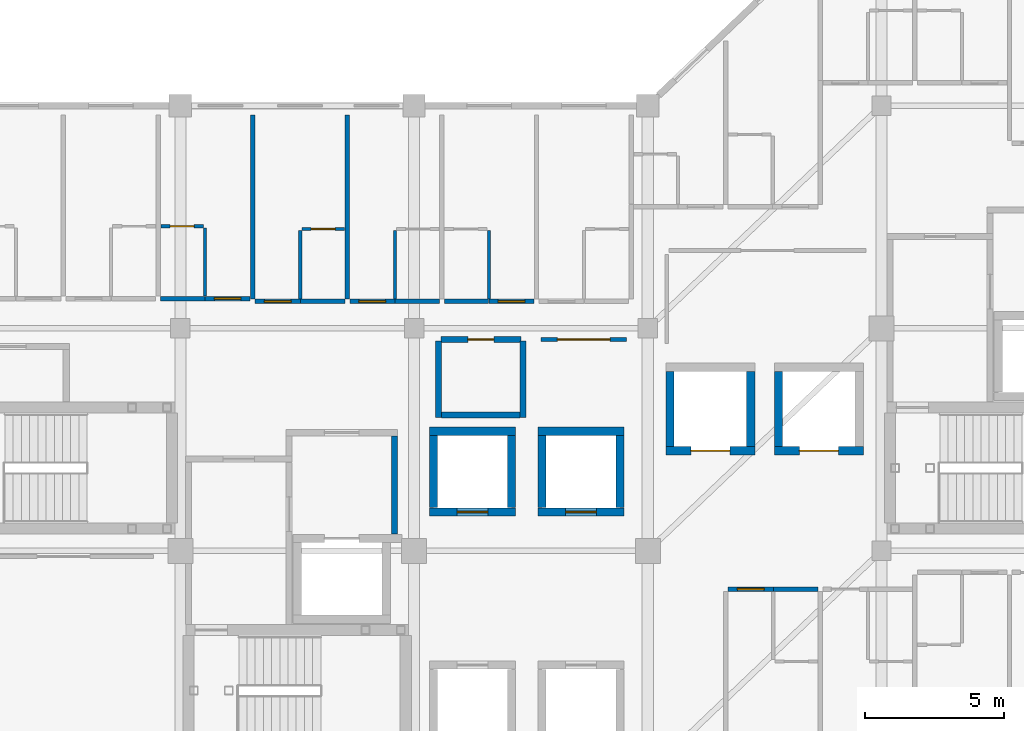
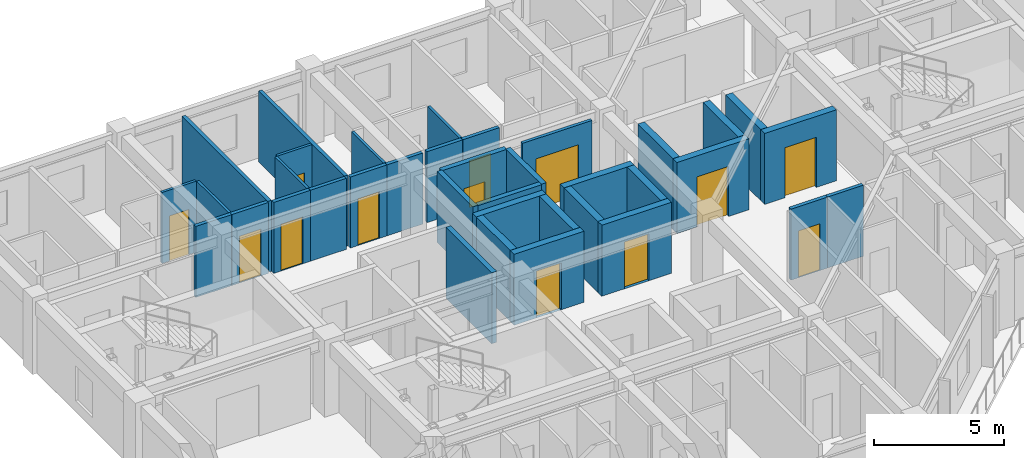
# One storey, part 8 of 17: 37 walls, 13 doors, 13 openings.
"""IFC4 building model written with IfcOpenShell, lengths in metres."""

from ifc_helpers import new_model, si_unit, direction, frame, frame_2d, origin, place, context, subcontext, project, spatial, rectangle, extrude, material, layer, layer_set, type_object, element, fill, save


model = new_model("IFC4")

# Units and contexts
model_context = context("Model", 3, precision=1e-05, world=origin(), true_north=direction((0.0, 1.0)))
body_context = subcontext(model_context, "Body", "Model", "MODEL_VIEW")
ifc_project = project(units=[si_unit("LENGTHUNIT", "METRE"), si_unit("AREAUNIT", "SQUARE_METRE"), si_unit("VOLUMEUNIT", "CUBIC_METRE"), si_unit("PLANEANGLEUNIT", "RADIAN"), si_unit("MASSUNIT", "GRAM", prefix="KILO")], contexts=[model_context])

# Site, building, storey
site_placement = place(None, origin())
site = spatial("IfcSite", under=ifc_project, at=site_placement, CompositionType="ELEMENT")
building_placement = place(site_placement, origin())
building = spatial("IfcBuilding", under=site, at=building_placement, Name="Naruveol Harbour Congress Hotel", CompositionType="ELEMENT")
storey_placement = place(building_placement, frame((0.0, 0.0, 25.199951171875)))
storey = spatial("IfcBuildingStorey", under=building, at=storey_placement, Name="L05", CompositionType="ELEMENT", Elevation=25.199951171875)

# Wall, opening, door
ifc_material_1 = material(Name="Acoustic Double Stud Gypsum", Category="gypsum")
ifc_layer_1 = layer(ifc_material_1, 0.139892578125)
ifc_layer_set_1 = layer_set([ifc_layer_1], Name="Acoustic Double Stud Gypsum")
wall_type_1 = type_object("IfcWallType", Name="ACOUSTIC MEETING PARTITION WALL 140", PredefinedType="PARTITIONING", material=ifc_layer_set_1)
wall_1_placement = place(storey_placement, frame((138.9599609375, 23.60009765625, 0.0), z_axis=(0.0, 0.0, 1.0), x_axis=(1.0, 0.0, 0.0)))
wall_1 = element("IfcWall", 1, at=wall_1_placement, inside=storey, type_object=wall_type_1, Name="Reading Salon north entry wall PW-140", PredefinedType="PARTITIONING", context=body_context, shape_type="SweptSolid", body=[
    extrude(rectangle(XDim=3.080078125, YDim=0.139892578125, at=frame_2d((1.5400390625, 0.0))), origin(), (0.0, 0.0, 1.0), 3.3349609375),
])
opening_1_placement = place(wall_1_placement, frame((0.590087890625, 0.0, 0.0)))
opening_1 = element("IfcOpeningElement", 2, at=opening_1_placement, cuts=wall_1, Name="Opening ID-LG-102", PredefinedType="OPENING", context=body_context, shape_type="SweptSolid", body=[
    extrude(rectangle(XDim=1.89990234375, YDim=2.39990234375, at=frame_2d((0.949951171875, 1.199951171875))), frame((0.0, 0.079833984375, 0.0), z_axis=(0.0, -1.0, 0.0), x_axis=(1.0, 0.0, 0.0)), (0.0, 0.0, 1.0), 0.159912109375),
])
ifc_material_2 = material(Name="Timber & Steel Acoustic Leaf", Category="steel")
door_type_1 = type_object("IfcDoorType", Name="RESTAURANT AND LOUNGE GLAZED DOOR 1900X2400", OperationType="DOUBLE_DOOR_SINGLE_SWING", PredefinedType="DOOR", material=ifc_material_2)
door_1_placement = place(opening_1_placement, origin())
door_1 = element("IfcDoor", 3, at=door_1_placement, inside=storey, type_object=door_type_1, Name="Reading Salon Entrance Door", OperationType="DOUBLE_DOOR_SINGLE_SWING", OverallHeight=2.39990234375, OverallWidth=1.89990234375, PredefinedType="DOOR", context=body_context, shape_type="SweptSolid", body=[
    extrude(rectangle(XDim=1.89990234375, YDim=2.39990234375, at=frame_2d((0.949951171875, 1.199951171875))), frame((0.0, 0.02490234375, 0.0), z_axis=(0.0, -1.0, 0.0), x_axis=(1.0, 0.0, 0.0)), (0.0, 0.0, 1.0), 0.050048828125),
])
fill(opening_1, door_1)

# Wall
ifc_material_3 = material(Name="Moisture-Resistant Gypsum Partition", Category="gypsum")
ifc_layer_2 = layer(ifc_material_3, 0.114990234375)
ifc_layer_set_2 = layer_set([ifc_layer_2], Name="Moisture-Resistant Gypsum Partition")
wall_type_2 = type_object("IfcWallType", Name="BATHROOM MOISTURE PARTITION WALL 115", PredefinedType="PARTITIONING", material=ifc_layer_set_2)
wall_2_placement = place(storey_placement, frame((126.889892578125, 25.159912109375, 0.0), z_axis=(0.0, 0.0, 1.0), x_axis=(0.0, 1.0, 0.0)))
element("IfcWall", 4, at=wall_2_placement, inside=storey, type_object=wall_type_2, Name="Bathroom east wall 0636 PW-115", PredefinedType="PARTITIONING", context=body_context, shape_type="SweptSolid", body=[
    extrude(rectangle(XDim=2.4501953125, YDim=0.114990234375, at=frame_2d((1.22509765625, 0.0))), origin(), (0.0, 0.0, 1.0), 3.3349609375),
])

# Wall, opening, door
wall_3_placement = place(storey_placement, frame((125.300048828125, 27.669921875, 0.0), z_axis=(0.0, 0.0, 1.0), x_axis=(1.0, 0.0, 0.0)))
wall_3 = element("IfcWall", 5, at=wall_3_placement, inside=storey, type_object=wall_type_2, Name="Bathroom north wall 0636 PW-115", PredefinedType="PARTITIONING", context=body_context, shape_type="SweptSolid", body=[
    extrude(rectangle(XDim=1.530029296875, YDim=0.114990234375, at=frame_2d((0.76513671875, 0.0))), origin(), (0.0, 0.0, 1.0), 3.3349609375),
])
opening_2_placement = place(wall_3_placement, frame((0.3349609375, 0.0, 0.0)))
opening_2 = element("IfcOpeningElement", 6, at=opening_2_placement, cuts=wall_3, Name="Opening BD-RM0636", PredefinedType="OPENING", context=body_context, shape_type="SweptSolid", body=[
    extrude(rectangle(XDim=0.860107421875, YDim=2.1201171875, at=frame_2d((0.43017578125, 1.06005859375))), frame((0.0, 0.0673828125, 0.0), z_axis=(0.0, -1.0, 0.0), x_axis=(1.0, 0.0, 0.0)), (0.0, 0.0, 1.0), 0.135009765625),
])
ifc_material_4 = material(Name="Timber & Steel Acoustic Leaf", Category="steel")
door_type_2 = type_object("IfcDoorType", Name="GUEST BATHROOM DOOR 860X2120", OperationType="NOTDEFINED", PredefinedType="DOOR", material=ifc_material_4)
door_2_placement = place(opening_2_placement, origin())
door_2 = element("IfcDoor", 7, at=door_2_placement, inside=storey, type_object=door_type_2, Name="Bathroom Door 0636", OperationType="SINGLE_SWING_RIGHT", OverallHeight=2.1201171875, OverallWidth=0.860107421875, PredefinedType="DOOR", context=body_context, shape_type="SweptSolid", body=[
    extrude(rectangle(XDim=0.860107421875, YDim=2.1201171875, at=frame_2d((0.43017578125, 1.06005859375))), frame((0.0, 0.02490234375, 0.0), z_axis=(0.0, -1.0, 0.0), x_axis=(1.0, 0.0, 0.0)), (0.0, 0.0, 1.0), 0.050048828125),
])
fill(opening_2, door_2)

# Wall
wall_4_placement = place(storey_placement, frame((130.31005859375, 25.06005859375, 0.0), z_axis=(0.0, 0.0, 1.0), x_axis=(0.0, 1.0, 0.0)))
element("IfcWall", 8, at=wall_4_placement, inside=storey, type_object=wall_type_2, Name="Bathroom west wall 0637 PW-115", PredefinedType="PARTITIONING", context=body_context, shape_type="SweptSolid", body=[
    extrude(rectangle(XDim=2.449951171875, YDim=0.114990234375, at=frame_2d((1.22509765625, 0.0))), origin(), (0.0, 0.0, 1.0), 3.3349609375),
])

# Wall, opening, door
wall_5_placement = place(storey_placement, frame((130.3701171875, 27.570068359375, 0.0), z_axis=(0.0, 0.0, 1.0), x_axis=(1.0, 0.0, 0.0)))
wall_5 = element("IfcWall", 9, at=wall_5_placement, inside=storey, type_object=wall_type_2, Name="Bathroom north wall 0637 PW-115", PredefinedType="PARTITIONING", context=body_context, shape_type="SweptSolid", body=[
    extrude(rectangle(XDim=1.52978515625, YDim=0.114990234375, at=frame_2d((0.764892578125, 0.0))), origin(), (0.0, 0.0, 1.0), 3.3349609375),
])
opening_3_placement = place(wall_5_placement, frame((0.3349609375, 0.0, 0.0)))
opening_3 = element("IfcOpeningElement", 10, at=opening_3_placement, cuts=wall_5, Name="Opening BD-RM0637", PredefinedType="OPENING", context=body_context, shape_type="SweptSolid", body=[
    extrude(rectangle(XDim=0.860107421875, YDim=2.1201171875, at=frame_2d((0.43017578125, 1.06005859375))), frame((0.0, 0.0673828125, 0.0), z_axis=(0.0, -1.0, 0.0), x_axis=(1.0, 0.0, 0.0)), (0.0, 0.0, 1.0), 0.135009765625),
])
door_3_placement = place(opening_3_placement, origin())
door_3 = element("IfcDoor", 11, at=door_3_placement, inside=storey, type_object=door_type_2, Name="Bathroom Door 0637", OperationType="SINGLE_SWING_RIGHT", OverallHeight=2.1201171875, OverallWidth=0.860107421875, PredefinedType="DOOR", context=body_context, shape_type="SweptSolid", body=[
    extrude(rectangle(XDim=0.860107421875, YDim=2.1201171875, at=frame_2d((0.43017578125, 1.06005859375))), frame((0.0, 0.02490234375, 0.0), z_axis=(0.0, -1.0, 0.0), x_axis=(1.0, 0.0, 0.0)), (0.0, 0.0, 1.0), 0.050048828125),
])
fill(opening_3, door_3)

# Walls
for number, where, z_axis, x_axis, name in (
    (12, (133.7099609375, 25.06005859375, 0.0), (0.0, 0.0, 1.0), (0.0, 1.0, 0.0), "Bathroom west wall 0638 PW-115"),
    (13, (137.090087890625, 25.06005859375, 0.0), (0.0, 0.0, 1.0), (0.0, 1.0, 0.0), "Bathroom east wall 0639 PW-115"),
):
    element("IfcWall", number, at=place(storey_placement, frame(where, z_axis=z_axis, x_axis=x_axis)), inside=storey, type_object=wall_type_2, Name=name, PredefinedType="PARTITIONING", context=body_context, shape_type="SweptSolid", body=[
        extrude(rectangle(XDim=2.449951171875, YDim=0.114990234375, at=frame_2d((1.22509765625, 0.0))), origin(), (0.0, 0.0, 1.0), 3.3349609375),
    ])
ifc_material_5 = material(Name="Concrete C40/50", Category="concrete")
ifc_layer_3 = layer(ifc_material_5, 0.219970703125)
ifc_layer_set_3 = layer_set([ifc_layer_3], Name="Concrete C40/50")
wall_type_3 = type_object("IfcWallType", Name="FIRE COMPARTMENT AND LOBBY WALL 220 EI120", PredefinedType="PARTITIONING", material=ifc_layer_set_3)
wall_6_placement = place(storey_placement, frame((133.699951171875, 16.60498046875, 0.0), z_axis=(0.0, 0.0, 1.0), x_axis=(0.0, 1.0, 0.0)))
element("IfcWall", 14, at=wall_6_placement, inside=storey, type_object=wall_type_3, Name="Firefighting lift lobby ST1 east wall FW-220", PredefinedType="PARTITIONING", context=body_context, shape_type="SweptSolid", body=[
    extrude(rectangle(XDim=3.530029296875, YDim=0.219970703125, at=frame_2d((1.76513671875, 0.0))), origin(), (0.0, 0.0, 1.0), 3.3349609375),
])

# Wall, opening, door
wall_7_placement = place(storey_placement, frame((135.360107421875, 23.60009765625, 0.0), z_axis=(0.0, 0.0, 1.0), x_axis=(1.0, 0.0, 0.0)))
wall_7 = element("IfcWall", 15, at=wall_7_placement, inside=storey, type_object=wall_type_3, Name="Housekeeping Pantry north entry wall FW-220", PredefinedType="PARTITIONING", context=body_context, shape_type="SweptSolid", body=[
    extrude(rectangle(XDim=2.8798828125, YDim=0.219970703125, at=frame_2d((1.43994140625, 0.0))), origin(), (0.0, 0.0, 1.0), 3.3349609375),
])
opening_4_placement = place(wall_7_placement, frame((0.969970703125, 0.0, 0.0)))
opening_4 = element("IfcOpeningElement", 16, at=opening_4_placement, cuts=wall_7, Name="Opening FD-ST-104", PredefinedType="OPENING", context=body_context, shape_type="SweptSolid", body=[
    extrude(rectangle(XDim=0.93994140625, YDim=2.14990234375, at=frame_2d((0.469970703125, 1.074951171875))), frame((0.0, 0.119873046875, 0.0), z_axis=(0.0, -1.0, 0.0), x_axis=(1.0, 0.0, 0.0)), (0.0, 0.0, 1.0), 0.239990234375),
])
ifc_material_6 = material(Name="Timber & Steel Acoustic Leaf", Category="steel")
door_type_3 = type_object("IfcDoorType", Name="HOUSEKEEPING AND STORE FIRE DOOR 940X2150", OperationType="NOTDEFINED", PredefinedType="DOOR", material=ifc_material_6)
door_4_placement = place(opening_4_placement, origin())
door_4 = element("IfcDoor", 17, at=door_4_placement, inside=storey, type_object=door_type_3, Name="Housekeeping Pantry Fire Door", OperationType="SINGLE_SWING_RIGHT", OverallHeight=2.14990234375, OverallWidth=0.93994140625, PredefinedType="DOOR", context=body_context, shape_type="SweptSolid", body=[
    extrude(rectangle(XDim=0.93994140625, YDim=2.14990234375, at=frame_2d((0.469970703125, 1.074951171875))), frame((0.0, 0.02490234375, 0.0), z_axis=(0.0, -1.0, 0.0), x_axis=(1.0, 0.0, 0.0)), (0.0, 0.0, 1.0), 0.050048828125),
])
fill(opening_4, door_4)

# Walls
for number, where, z_axis, x_axis, name in (
    (18, (135.280029296875, 20.800048828125, 0.0), (0.0, 0.0, 1.0), (0.0, 1.0, 0.0), "Housekeeping Pantry west enclosure partition FW-220"),
    (19, (138.320068359375, 20.800048828125, 0.0), (0.0, 0.0, 1.0), (0.0, 1.0, 0.0), "Housekeeping Pantry east enclosure partition FW-220"),
):
    element("IfcWall", number, at=place(storey_placement, frame(where, z_axis=z_axis, x_axis=x_axis)), inside=storey, type_object=wall_type_3, Name=name, PredefinedType="PARTITIONING", context=body_context, shape_type="SweptSolid", body=[
        extrude(rectangle(XDim=2.748046875, YDim=0.219970703125, at=frame_2d((1.3740234375, 0.0))), origin(), (0.0, 0.0, 1.0), 3.3349609375),
    ])
wall_8_placement = place(storey_placement, frame((135.389892578125, 20.8798828125, 0.0), z_axis=(0.0, 0.0, 1.0), x_axis=(1.0, 0.0, 0.0)))
element("IfcWall", 20, at=wall_8_placement, inside=storey, type_object=wall_type_3, Name="Housekeeping Pantry south enclosure partition FW-220", PredefinedType="PARTITIONING", context=body_context, shape_type="SweptSolid", body=[
    extrude(rectangle(XDim=2.820068359375, YDim=0.219970703125, at=frame_2d((1.41015625, 0.0))), origin(), (0.0, 0.0, 1.0), 3.3349609375),
])
ifc_material_7 = material(Name="Autoclaved Aerated Concrete Block", Category="concrete")
ifc_layer_4 = layer(ifc_material_7, 0.159912109375)
ifc_layer_set_4 = layer_set([ifc_layer_4], Name="Autoclaved Aerated Concrete Block")
wall_type_4 = type_object("IfcWallType", Name="HOTEL PARTY AND CORRIDOR WALL 160 EI60", PredefinedType="PARTITIONING", material=ifc_layer_set_4)
wall_9_placement = place(storey_placement, frame((125.2900390625, 25.070068359375, 0.0), z_axis=(0.0, 0.0, 1.0), x_axis=(1.0, 0.0, 0.0)))
element("IfcWall", 21, at=wall_9_placement, inside=storey, type_object=wall_type_4, Name="Corridor wall 0636B PW-160", PredefinedType="PARTITIONING", context=body_context, shape_type="SweptSolid", body=[
    extrude(rectangle(XDim=1.58984375, YDim=0.159912109375, at=frame_2d((0.794921875, 0.0))), origin(), (0.0, 0.0, 1.0), 3.3349609375),
])

# Wall, opening, door
wall_10_placement = place(storey_placement, frame((126.889892578125, 25.070068359375, 0.0), z_axis=(0.0, 0.0, 1.0), x_axis=(1.0, 0.0, 0.0)))
wall_10 = element("IfcWall", 22, at=wall_10_placement, inside=storey, type_object=wall_type_4, Name="Corridor entry wall 0636 PW-160", PredefinedType="PARTITIONING", context=body_context, shape_type="SweptSolid", body=[
    extrude(rectangle(XDim=1.6201171875, YDim=0.159912109375, at=frame_2d((0.81005859375, 0.0))), origin(), (0.0, 0.0, 1.0), 3.3349609375),
])
opening_5_placement = place(wall_10_placement, frame((0.330078125, 0.0, 0.0)))
opening_5 = element("IfcOpeningElement", 23, at=opening_5_placement, cuts=wall_10, Name="Opening FD-RM0636", PredefinedType="OPENING", context=body_context, shape_type="SweptSolid", body=[
    extrude(rectangle(XDim=0.9599609375, YDim=2.199951171875, at=frame_2d((0.47998046875, 1.10009765625))), frame((0.0, 0.08984375, 0.0), z_axis=(0.0, -1.0, 0.0), x_axis=(1.0, 0.0, 0.0)), (0.0, 0.0, 1.0), 0.179931640625),
])
ifc_material_8 = material(Name="Timber & Steel Acoustic Leaf", Category="steel")
door_type_4 = type_object("IfcDoorType", Name="GUEST ROOM ENTRANCE FIRE DOOR 960X2200", OperationType="NOTDEFINED", PredefinedType="DOOR", material=ifc_material_8)
door_5_placement = place(opening_5_placement, origin())
door_5 = element("IfcDoor", 24, at=door_5_placement, inside=storey, type_object=door_type_4, Name="Hotel Room Door 0636", OperationType="SINGLE_SWING_LEFT", OverallHeight=2.199951171875, OverallWidth=0.9599609375, PredefinedType="DOOR", context=body_context, shape_type="SweptSolid", body=[
    extrude(rectangle(XDim=0.9599609375, YDim=2.199951171875, at=frame_2d((0.47998046875, 1.10009765625))), frame((0.0, 0.02490234375, 0.0), z_axis=(0.0, -1.0, 0.0), x_axis=(1.0, 0.0, 0.0)), (0.0, 0.0, 1.0), 0.050048828125),
])
fill(opening_5, door_5)

wall_11_placement = place(storey_placement, frame((128.68994140625, 24.969970703125, 0.0), z_axis=(0.0, 0.0, 1.0), x_axis=(1.0, 0.0, 0.0)))
wall_11 = element("IfcWall", 25, at=wall_11_placement, inside=storey, type_object=wall_type_4, Name="Corridor entry wall 0637 PW-160", PredefinedType="PARTITIONING", context=body_context, shape_type="SweptSolid", body=[
    extrude(rectangle(XDim=1.6201171875, YDim=0.159912109375, at=frame_2d((0.81005859375, 0.0))), origin(), (0.0, 0.0, 1.0), 3.3349609375),
])
opening_6_placement = place(wall_11_placement, frame((0.330078125, 0.0, 0.0)))
opening_6 = element("IfcOpeningElement", 26, at=opening_6_placement, cuts=wall_11, Name="Opening FD-RM0637", PredefinedType="OPENING", context=body_context, shape_type="SweptSolid", body=[
    extrude(rectangle(XDim=0.9599609375, YDim=2.199951171875, at=frame_2d((0.47998046875, 1.10009765625))), frame((0.0, 0.08984375, 0.0), z_axis=(0.0, -1.0, 0.0), x_axis=(1.0, 0.0, 0.0)), (0.0, 0.0, 1.0), 0.179931640625),
])
door_6_placement = place(opening_6_placement, origin())
door_6 = element("IfcDoor", 27, at=door_6_placement, inside=storey, type_object=door_type_4, Name="Hotel Room Door 0637", OperationType="SINGLE_SWING_LEFT", OverallHeight=2.199951171875, OverallWidth=0.9599609375, PredefinedType="DOOR", context=body_context, shape_type="SweptSolid", body=[
    extrude(rectangle(XDim=0.9599609375, YDim=2.199951171875, at=frame_2d((0.47998046875, 1.10009765625))), frame((0.0, 0.02490234375, 0.0), z_axis=(0.0, -1.0, 0.0), x_axis=(1.0, 0.0, 0.0)), (0.0, 0.0, 1.0), 0.050048828125),
])
fill(opening_6, door_6)

# Walls
wall_12_placement = place(storey_placement, frame((130.320068359375, 24.969970703125, 0.0), z_axis=(0.0, 0.0, 1.0), x_axis=(1.0, 0.0, 0.0)))
element("IfcWall", 28, at=wall_12_placement, inside=storey, type_object=wall_type_4, Name="Corridor wall 0637B PW-160", PredefinedType="PARTITIONING", context=body_context, shape_type="SweptSolid", body=[
    extrude(rectangle(XDim=1.58984375, YDim=0.159912109375, at=frame_2d((0.794921875, 0.0))), origin(), (0.0, 0.0, 1.0), 3.3349609375),
])
wall_13_placement = place(storey_placement, frame((128.60009765625, 25.06005859375, 0.0), z_axis=(0.0, 0.0, 1.0), x_axis=(0.0, 1.0, 0.0)))
element("IfcWall", 29, at=wall_13_placement, inside=storey, type_object=wall_type_4, Name="Hotel party wall 0637 PW-160", PredefinedType="PARTITIONING", context=body_context, shape_type="SweptSolid", body=[
    extrude(rectangle(XDim=6.599853515625, YDim=0.159912109375, at=frame_2d((3.2998046875, 0.0))), origin(), (0.0, 0.0, 1.0), 3.3349609375),
])

# Wall, opening, door
wall_14_placement = place(storey_placement, frame((132.090087890625, 24.969970703125, 0.0), z_axis=(0.0, 0.0, 1.0), x_axis=(1.0, 0.0, 0.0)))
wall_14 = element("IfcWall", 30, at=wall_14_placement, inside=storey, type_object=wall_type_4, Name="Corridor entry wall 0638 PW-160", PredefinedType="PARTITIONING", context=body_context, shape_type="SweptSolid", body=[
    extrude(rectangle(XDim=1.619873046875, YDim=0.159912109375, at=frame_2d((0.81005859375, 0.0))), origin(), (0.0, 0.0, 1.0), 3.3349609375),
])
opening_7_placement = place(wall_14_placement, frame((0.330078125, 0.0, 0.0)))
opening_7 = element("IfcOpeningElement", 31, at=opening_7_placement, cuts=wall_14, Name="Opening FD-RM0638", PredefinedType="OPENING", context=body_context, shape_type="SweptSolid", body=[
    extrude(rectangle(XDim=0.9599609375, YDim=2.199951171875, at=frame_2d((0.47998046875, 1.10009765625))), frame((0.0, 0.08984375, 0.0), z_axis=(0.0, -1.0, 0.0), x_axis=(1.0, 0.0, 0.0)), (0.0, 0.0, 1.0), 0.179931640625),
])
door_7_placement = place(opening_7_placement, origin())
door_7 = element("IfcDoor", 32, at=door_7_placement, inside=storey, type_object=door_type_4, Name="Hotel Room Door 0638", OperationType="SINGLE_SWING_LEFT", OverallHeight=2.199951171875, OverallWidth=0.9599609375, PredefinedType="DOOR", context=body_context, shape_type="SweptSolid", body=[
    extrude(rectangle(XDim=0.9599609375, YDim=2.199951171875, at=frame_2d((0.47998046875, 1.10009765625))), frame((0.0, 0.02490234375, 0.0), z_axis=(0.0, -1.0, 0.0), x_axis=(1.0, 0.0, 0.0)), (0.0, 0.0, 1.0), 0.050048828125),
])
fill(opening_7, door_7)

# Walls
wall_15_placement = place(storey_placement, frame((133.719970703125, 24.969970703125, 0.0), z_axis=(0.0, 0.0, 1.0), x_axis=(1.0, 0.0, 0.0)))
element("IfcWall", 33, at=wall_15_placement, inside=storey, type_object=wall_type_4, Name="Corridor wall 0638B PW-160", PredefinedType="PARTITIONING", context=body_context, shape_type="SweptSolid", body=[
    extrude(rectangle(XDim=1.590087890625, YDim=0.159912109375, at=frame_2d((0.794921875, 0.0))), origin(), (0.0, 0.0, 1.0), 3.3349609375),
])
wall_16_placement = place(storey_placement, frame((132.0, 25.06005859375, 0.0), z_axis=(0.0, 0.0, 1.0), x_axis=(0.0, 1.0, 0.0)))
element("IfcWall", 34, at=wall_16_placement, inside=storey, type_object=wall_type_4, Name="Hotel party wall 0638 PW-160", PredefinedType="PARTITIONING", context=body_context, shape_type="SweptSolid", body=[
    extrude(rectangle(XDim=6.599853515625, YDim=0.159912109375, at=frame_2d((3.2998046875, 0.0))), origin(), (0.0, 0.0, 1.0), 3.3349609375),
])
wall_17_placement = place(storey_placement, frame((135.489990234375, 24.969970703125, 0.0), z_axis=(0.0, 0.0, 1.0), x_axis=(1.0, 0.0, 0.0)))
element("IfcWall", 35, at=wall_17_placement, inside=storey, type_object=wall_type_4, Name="Corridor wall 0639B PW-160", PredefinedType="PARTITIONING", context=body_context, shape_type="SweptSolid", body=[
    extrude(rectangle(XDim=1.590087890625, YDim=0.159912109375, at=frame_2d((0.794921875, 0.0))), origin(), (0.0, 0.0, 1.0), 3.3349609375),
])

# Wall, opening, door
wall_18_placement = place(storey_placement, frame((137.090087890625, 24.969970703125, 0.0), z_axis=(0.0, 0.0, 1.0), x_axis=(1.0, 0.0, 0.0)))
wall_18 = element("IfcWall", 36, at=wall_18_placement, inside=storey, type_object=wall_type_4, Name="Corridor entry wall 0639 PW-160", PredefinedType="PARTITIONING", context=body_context, shape_type="SweptSolid", body=[
    extrude(rectangle(XDim=1.619873046875, YDim=0.159912109375, at=frame_2d((0.81005859375, 0.0))), origin(), (0.0, 0.0, 1.0), 3.3349609375),
])
opening_8_placement = place(wall_18_placement, frame((0.330078125, 0.0, 0.0)))
opening_8 = element("IfcOpeningElement", 37, at=opening_8_placement, cuts=wall_18, Name="Opening FD-RM0639", PredefinedType="OPENING", context=body_context, shape_type="SweptSolid", body=[
    extrude(rectangle(XDim=0.9599609375, YDim=2.199951171875, at=frame_2d((0.47998046875, 1.10009765625))), frame((0.0, 0.08984375, 0.0), z_axis=(0.0, -1.0, 0.0), x_axis=(1.0, 0.0, 0.0)), (0.0, 0.0, 1.0), 0.179931640625),
])
door_8_placement = place(opening_8_placement, origin())
door_8 = element("IfcDoor", 38, at=door_8_placement, inside=storey, type_object=door_type_4, Name="Hotel Room Door 0639", OperationType="SINGLE_SWING_LEFT", OverallHeight=2.199951171875, OverallWidth=0.9599609375, PredefinedType="DOOR", context=body_context, shape_type="SweptSolid", body=[
    extrude(rectangle(XDim=0.9599609375, YDim=2.199951171875, at=frame_2d((0.47998046875, 1.10009765625))), frame((0.0, 0.02490234375, 0.0), z_axis=(0.0, -1.0, 0.0), x_axis=(1.0, 0.0, 0.0)), (0.0, 0.0, 1.0), 0.050048828125),
])
fill(opening_8, door_8)

wall_19_placement = place(storey_placement, frame((145.68994140625, 14.6298828125, 0.0), z_axis=(0.0, 0.0, 1.0), x_axis=(1.0, 0.0, 0.0)))
wall_19 = element("IfcWall", 39, at=wall_19_placement, inside=storey, type_object=wall_type_4, Name="Corridor entry wall 0623 PW-160", PredefinedType="PARTITIONING", context=body_context, shape_type="SweptSolid", body=[
    extrude(rectangle(XDim=1.6201171875, YDim=0.159912109375, at=frame_2d((0.81005859375, 0.0))), origin(), (0.0, 0.0, 1.0), 3.3349609375),
])
opening_9_placement = place(wall_19_placement, frame((0.330078125, 0.0, 0.0)))
opening_9 = element("IfcOpeningElement", 40, at=opening_9_placement, cuts=wall_19, Name="Opening FD-RM0623", PredefinedType="OPENING", context=body_context, shape_type="SweptSolid", body=[
    extrude(rectangle(XDim=0.9599609375, YDim=2.199951171875, at=frame_2d((0.47998046875, 1.10009765625))), frame((0.0, 0.08984375, 0.0), z_axis=(0.0, -1.0, 0.0), x_axis=(1.0, 0.0, 0.0)), (0.0, 0.0, 1.0), 0.179931640625),
])
door_9_placement = place(opening_9_placement, origin())
door_9 = element("IfcDoor", 41, at=door_9_placement, inside=storey, type_object=door_type_4, Name="Hotel Room Door 0623", OperationType="SINGLE_SWING_LEFT", OverallHeight=2.199951171875, OverallWidth=0.9599609375, PredefinedType="DOOR", context=body_context, shape_type="SweptSolid", body=[
    extrude(rectangle(XDim=0.9599609375, YDim=2.199951171875, at=frame_2d((0.47998046875, 1.10009765625))), frame((0.0, 0.02490234375, 0.0), z_axis=(0.0, -1.0, 0.0), x_axis=(1.0, 0.0, 0.0)), (0.0, 0.0, 1.0), 0.050048828125),
])
fill(opening_9, door_9)

# Wall
wall_20_placement = place(storey_placement, frame((147.320068359375, 14.6298828125, 0.0), z_axis=(0.0, 0.0, 1.0), x_axis=(1.0, 0.0, 0.0)))
element("IfcWall", 42, at=wall_20_placement, inside=storey, type_object=wall_type_4, Name="Corridor wall 0623B PW-160", PredefinedType="PARTITIONING", context=body_context, shape_type="SweptSolid", body=[
    extrude(rectangle(XDim=1.58984375, YDim=0.159912109375, at=frame_2d((0.794921875, 0.0))), origin(), (0.0, 0.0, 1.0), 3.3349609375),
])

# Wall, opening, door
ifc_material_9 = material(Name="Concrete C50/60", Category="concrete")
ifc_layer_5 = layer(ifc_material_9, 0.300048828125)
ifc_layer_set_5 = layer_set([ifc_layer_5], Name="Concrete C50/60")
wall_type_5 = type_object("IfcWallType", Name="RC STAIR AND HOISTWAY SHEAR WALL 300 EI120", PredefinedType="SHEAR", material=ifc_layer_set_5)
wall_21_placement = place(storey_placement, frame((134.949951171875, 17.39990234375, 0.0), z_axis=(0.0, 0.0, 1.0), x_axis=(1.0, 0.0, 0.0)))
wall_21 = element("IfcWall", 43, at=wall_21_placement, inside=storey, type_object=wall_type_5, Name="Hoistway south shear wall PL1 SW-300", PredefinedType="SHEAR", context=body_context, shape_type="SweptSolid", body=[
    extrude(rectangle(XDim=3.10009765625, YDim=0.300048828125, at=frame_2d((1.550048828125, 0.0))), origin(), (0.0, 0.0, 1.0), 3.3349609375),
])
opening_10_placement = place(wall_21_placement, frame((1.0, 0.0, 0.0)))
opening_10 = element("IfcOpeningElement", 44, at=opening_10_placement, cuts=wall_21, Name="Opening LD-PL1-L05", PredefinedType="OPENING", context=body_context, shape_type="SweptSolid", body=[
    extrude(rectangle(XDim=1.10009765625, YDim=2.199951171875, at=frame_2d((0.550048828125, 1.10009765625))), frame((0.0, 0.159912109375, 0.0), z_axis=(0.0, -1.0, 0.0), x_axis=(1.0, 0.0, 0.0)), (0.0, 0.0, 1.0), 0.320068359375),
])
ifc_material_10 = material(Name="Stainless Steel Lift Door", Category="steel")
door_type_5 = type_object("IfcDoorType", Name="PASSENGER LIFT LANDING DOOR 1100X2200", OperationType="DOUBLE_DOOR_SLIDING", PredefinedType="DOOR", material=ifc_material_10)
door_10_placement = place(opening_10_placement, origin())
door_10 = element("IfcDoor", 45, at=door_10_placement, inside=storey, type_object=door_type_5, Name="Elevator Landing Door PL1 L05", OperationType="DOUBLE_DOOR_SLIDING", OverallHeight=2.199951171875, OverallWidth=1.10009765625, PredefinedType="DOOR", context=body_context, shape_type="SweptSolid", body=[
    extrude(rectangle(XDim=1.10009765625, YDim=2.199951171875, at=frame_2d((0.550048828125, 1.10009765625))), frame((0.0, 0.02490234375, 0.0), z_axis=(0.0, -1.0, 0.0), x_axis=(1.0, 0.0, 0.0)), (0.0, 0.0, 1.0), 0.050048828125),
])
fill(opening_10, door_10)

# Walls
wall_22_placement = place(storey_placement, frame((137.89990234375, 17.554931640625, 0.0), z_axis=(0.0, 0.0, 1.0), x_axis=(0.0, 1.0, 0.0)))
element("IfcWall", 46, at=wall_22_placement, inside=storey, type_object=wall_type_5, Name="Hoistway east shear wall PL1 SW-300", PredefinedType="SHEAR", context=body_context, shape_type="SweptSolid", body=[
    extrude(rectangle(XDim=2.590087890625, YDim=0.300048828125, at=frame_2d((1.294921875, 0.0))), origin(), (0.0, 0.0, 1.0), 3.3349609375),
])
wall_23_placement = place(storey_placement, frame((138.050048828125, 20.300048828125, 0.0), z_axis=(0.0, 0.0, 1.0), x_axis=(-1.0, 0.0, 0.0)))
element("IfcWall", 47, at=wall_23_placement, inside=storey, type_object=wall_type_5, Name="Hoistway north shear wall PL1 SW-300", PredefinedType="SHEAR", context=body_context, shape_type="SweptSolid", body=[
    extrude(rectangle(XDim=3.10009765625, YDim=0.300048828125, at=frame_2d((1.550048828125, 0.0))), origin(), (0.0, 0.0, 1.0), 3.3349609375),
])
wall_24_placement = place(storey_placement, frame((135.10009765625, 20.14501953125, 0.0), z_axis=(0.0, 0.0, 1.0), x_axis=(0.0, -1.0, 0.0)))
element("IfcWall", 48, at=wall_24_placement, inside=storey, type_object=wall_type_5, Name="Hoistway west shear wall PL1 SW-300", PredefinedType="SHEAR", context=body_context, shape_type="SweptSolid", body=[
    extrude(rectangle(XDim=2.590087890625, YDim=0.300048828125, at=frame_2d((1.294921875, 0.0))), origin(), (0.0, 0.0, 1.0), 3.3349609375),
])

# Wall, opening, door
wall_25_placement = place(storey_placement, frame((138.85009765625, 17.39990234375, 0.0), z_axis=(0.0, 0.0, 1.0), x_axis=(1.0, 0.0, 0.0)))
wall_25 = element("IfcWall", 49, at=wall_25_placement, inside=storey, type_object=wall_type_5, Name="Hoistway south shear wall PL2 SW-300", PredefinedType="SHEAR", context=body_context, shape_type="SweptSolid", body=[
    extrude(rectangle(XDim=3.099853515625, YDim=0.300048828125, at=frame_2d((1.5498046875, 0.0))), origin(), (0.0, 0.0, 1.0), 3.3349609375),
])
opening_11_placement = place(wall_25_placement, frame((1.0, 0.0, 0.0)))
opening_11 = element("IfcOpeningElement", 50, at=opening_11_placement, cuts=wall_25, Name="Opening LD-PL2-L05", PredefinedType="OPENING", context=body_context, shape_type="SweptSolid", body=[
    extrude(rectangle(XDim=1.10009765625, YDim=2.199951171875, at=frame_2d((0.550048828125, 1.10009765625))), frame((0.0, 0.159912109375, 0.0), z_axis=(0.0, -1.0, 0.0), x_axis=(1.0, 0.0, 0.0)), (0.0, 0.0, 1.0), 0.320068359375),
])
door_11_placement = place(opening_11_placement, origin())
door_11 = element("IfcDoor", 51, at=door_11_placement, inside=storey, type_object=door_type_5, Name="Elevator Landing Door PL2 L05", OperationType="DOUBLE_DOOR_SLIDING", OverallHeight=2.199951171875, OverallWidth=1.10009765625, PredefinedType="DOOR", context=body_context, shape_type="SweptSolid", body=[
    extrude(rectangle(XDim=1.10009765625, YDim=2.199951171875, at=frame_2d((0.550048828125, 1.10009765625))), frame((0.0, 0.02490234375, 0.0), z_axis=(0.0, -1.0, 0.0), x_axis=(1.0, 0.0, 0.0)), (0.0, 0.0, 1.0), 0.050048828125),
])
fill(opening_11, door_11)

# Walls
wall_26_placement = place(storey_placement, frame((141.800048828125, 17.554931640625, 0.0), z_axis=(0.0, 0.0, 1.0), x_axis=(0.0, 1.0, 0.0)))
element("IfcWall", 52, at=wall_26_placement, inside=storey, type_object=wall_type_5, Name="Hoistway east shear wall PL2 SW-300", PredefinedType="SHEAR", context=body_context, shape_type="SweptSolid", body=[
    extrude(rectangle(XDim=2.590087890625, YDim=0.300048828125, at=frame_2d((1.294921875, 0.0))), origin(), (0.0, 0.0, 1.0), 3.3349609375),
])
wall_27_placement = place(storey_placement, frame((141.949951171875, 20.300048828125, 0.0), z_axis=(0.0, 0.0, 1.0), x_axis=(-1.0, 0.0, 0.0)))
element("IfcWall", 53, at=wall_27_placement, inside=storey, type_object=wall_type_5, Name="Hoistway north shear wall PL2 SW-300", PredefinedType="SHEAR", context=body_context, shape_type="SweptSolid", body=[
    extrude(rectangle(XDim=3.099853515625, YDim=0.300048828125, at=frame_2d((1.5498046875, 0.0))), origin(), (0.0, 0.0, 1.0), 3.3349609375),
])
wall_28_placement = place(storey_placement, frame((139.0, 20.14501953125, 0.0), z_axis=(0.0, 0.0, 1.0), x_axis=(0.0, -1.0, 0.0)))
element("IfcWall", 54, at=wall_28_placement, inside=storey, type_object=wall_type_5, Name="Hoistway west shear wall PL2 SW-300", PredefinedType="SHEAR", context=body_context, shape_type="SweptSolid", body=[
    extrude(rectangle(XDim=2.590087890625, YDim=0.300048828125, at=frame_2d((1.294921875, 0.0))), origin(), (0.0, 0.0, 1.0), 3.3349609375),
])

# Wall, opening, door
wall_29_placement = place(storey_placement, frame((143.449951171875, 19.60009765625, 0.0), z_axis=(0.0, 0.0, 1.0), x_axis=(1.0, 0.0, 0.0)))
wall_29 = element("IfcWall", 55, at=wall_29_placement, inside=storey, type_object=wall_type_5, Name="Hoistway south shear wall GL1 SW-300", PredefinedType="SHEAR", context=body_context, shape_type="SweptSolid", body=[
    extrude(rectangle(XDim=3.199951171875, YDim=0.300048828125, at=frame_2d((1.60009765625, 0.0))), origin(), (0.0, 0.0, 1.0), 3.3349609375),
])
opening_12_placement = place(wall_29_placement, frame((0.89990234375, 0.0, 0.0)))
opening_12 = element("IfcOpeningElement", 56, at=opening_12_placement, cuts=wall_29, Name="Opening LD-GL1-L05", PredefinedType="OPENING", context=body_context, shape_type="SweptSolid", body=[
    extrude(rectangle(XDim=1.39990234375, YDim=2.35009765625, at=frame_2d((0.699951171875, 1.175048828125))), frame((0.0, 0.159912109375, 0.0), z_axis=(0.0, -1.0, 0.0), x_axis=(1.0, 0.0, 0.0)), (0.0, 0.0, 1.0), 0.320068359375),
])
ifc_material_11 = material(Name="Stainless Steel Lift Door", Category="steel")
door_type_6 = type_object("IfcDoorType", Name="GOODS LIFT LANDING DOOR 1400X2350", OperationType="DOUBLE_DOOR_SLIDING", PredefinedType="DOOR", material=ifc_material_11)
door_12_placement = place(opening_12_placement, origin())
door_12 = element("IfcDoor", 57, at=door_12_placement, inside=storey, type_object=door_type_6, Name="Elevator Landing Door GL1 L05", OperationType="DOUBLE_DOOR_SLIDING", OverallHeight=2.35009765625, OverallWidth=1.39990234375, PredefinedType="DOOR", context=body_context, shape_type="SweptSolid", body=[
    extrude(rectangle(XDim=1.39990234375, YDim=2.35009765625, at=frame_2d((0.699951171875, 1.175048828125))), frame((0.0, 0.02490234375, 0.0), z_axis=(0.0, -1.0, 0.0), x_axis=(1.0, 0.0, 0.0)), (0.0, 0.0, 1.0), 0.050048828125),
])
fill(opening_12, door_12)

# Walls
for number, where, z_axis, x_axis, name in (
    (58, (146.5, 19.7548828125, 0.0), (0.0, 0.0, 1.0), (0.0, 1.0, 0.0), "Hoistway east shear wall GL1 SW-300"),
    (59, (143.60009765625, 22.445068359375, 0.0), (0.0, 0.0, 1.0), (0.0, -1.0, 0.0), "Hoistway west shear wall GL1 SW-300"),
):
    element("IfcWall", number, at=place(storey_placement, frame(where, z_axis=z_axis, x_axis=x_axis)), inside=storey, type_object=wall_type_5, Name=name, PredefinedType="SHEAR", context=body_context, shape_type="SweptSolid", body=[
        extrude(rectangle(XDim=2.690185546875, YDim=0.300048828125, at=frame_2d((1.34521484375, 0.0))), origin(), (0.0, 0.0, 1.0), 3.3349609375),
    ])

# Wall, opening, door
wall_30_placement = place(storey_placement, frame((147.35009765625, 19.60009765625, 0.0), z_axis=(0.0, 0.0, 1.0), x_axis=(1.0, 0.0, 0.0)))
wall_30 = element("IfcWall", 60, at=wall_30_placement, inside=storey, type_object=wall_type_5, Name="Hoistway south shear wall GL2 SW-300", PredefinedType="SHEAR", context=body_context, shape_type="SweptSolid", body=[
    extrude(rectangle(XDim=3.199951171875, YDim=0.300048828125, at=frame_2d((1.60009765625, 0.0))), origin(), (0.0, 0.0, 1.0), 3.3349609375),
])
opening_13_placement = place(wall_30_placement, frame((0.89990234375, 0.0, 0.0)))
opening_13 = element("IfcOpeningElement", 61, at=opening_13_placement, cuts=wall_30, Name="Opening LD-GL2-L05", PredefinedType="OPENING", context=body_context, shape_type="SweptSolid", body=[
    extrude(rectangle(XDim=1.39990234375, YDim=2.35009765625, at=frame_2d((0.699951171875, 1.175048828125))), frame((0.0, 0.159912109375, 0.0), z_axis=(0.0, -1.0, 0.0), x_axis=(1.0, 0.0, 0.0)), (0.0, 0.0, 1.0), 0.320068359375),
])
door_13_placement = place(opening_13_placement, origin())
door_13 = element("IfcDoor", 62, at=door_13_placement, inside=storey, type_object=door_type_6, Name="Elevator Landing Door GL2 L05", OperationType="DOUBLE_DOOR_SLIDING", OverallHeight=2.35009765625, OverallWidth=1.39990234375, PredefinedType="DOOR", context=body_context, shape_type="SweptSolid", body=[
    extrude(rectangle(XDim=1.39990234375, YDim=2.35009765625, at=frame_2d((0.699951171875, 1.175048828125))), frame((0.0, 0.02490234375, 0.0), z_axis=(0.0, -1.0, 0.0), x_axis=(1.0, 0.0, 0.0)), (0.0, 0.0, 1.0), 0.050048828125),
])
fill(opening_13, door_13)

# Wall
wall_31_placement = place(storey_placement, frame((147.5, 22.445068359375, 0.0), z_axis=(0.0, 0.0, 1.0), x_axis=(0.0, -1.0, 0.0)))
element("IfcWall", 63, at=wall_31_placement, inside=storey, type_object=wall_type_5, Name="Hoistway west shear wall GL2 SW-300", PredefinedType="SHEAR", context=body_context, shape_type="SweptSolid", body=[
    extrude(rectangle(XDim=2.690185546875, YDim=0.300048828125, at=frame_2d((1.34521484375, 0.0))), origin(), (0.0, 0.0, 1.0), 3.3349609375),
])

save(model, "model.ifc")
